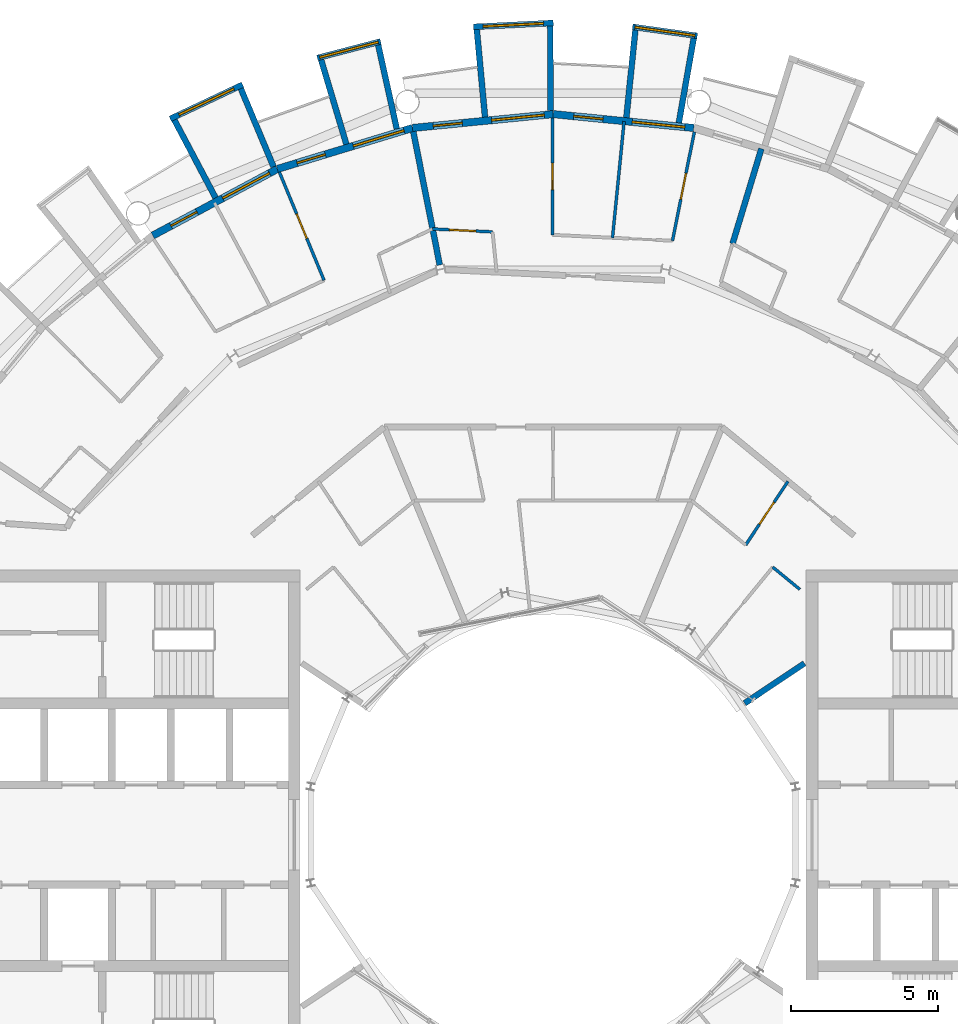
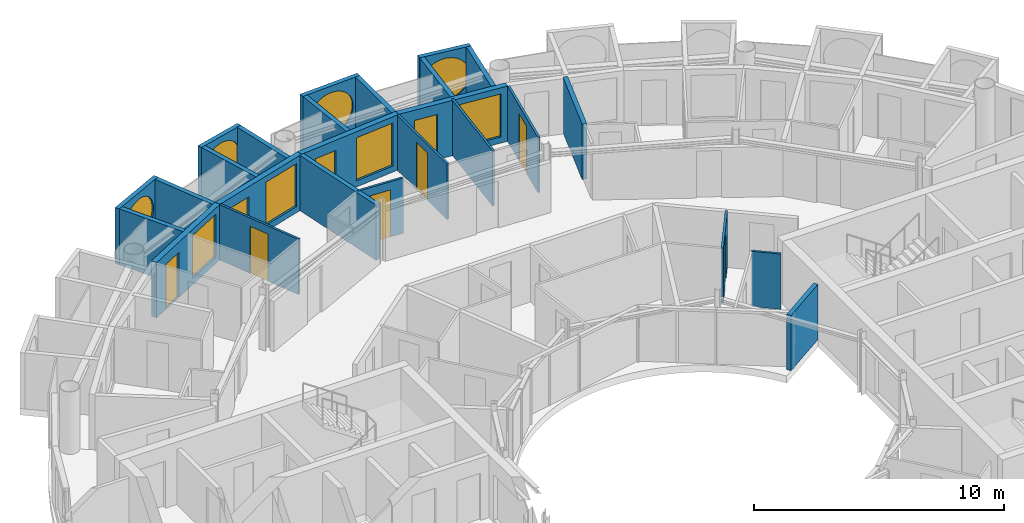
# One storey, part 21 of 27: 26 walls, 9 doors, 8 windows, 17 openings.
"""IFC4 building model written with IfcOpenShell, lengths in metres."""

from ifc_helpers import new_model, si_unit, direction, frame, frame_2d, origin, place, context, subcontext, project, spatial, rectangle, circle, extrude, material, layer, layer_set, type_object, element, fill, save


model = new_model("IFC4")

# Units and contexts
model_context = context("Model", 3, precision=1e-05, world=origin(), true_north=direction((0.0, 1.0)))
body_context = subcontext(model_context, "Body", "Model", "MODEL_VIEW")
ifc_project = project(units=[si_unit("LENGTHUNIT", "METRE"), si_unit("AREAUNIT", "SQUARE_METRE"), si_unit("VOLUMEUNIT", "CUBIC_METRE"), si_unit("PLANEANGLEUNIT", "RADIAN"), si_unit("MASSUNIT", "GRAM", prefix="KILO")], contexts=[model_context])

# Site, building, storey
site_placement = place(None, origin())
site = spatial("IfcSite", under=ifc_project, at=site_placement, CompositionType="ELEMENT")
building_placement = place(site_placement, origin())
building = spatial("IfcBuilding", under=site, at=building_placement, Name="Maasbend Ring Residences", CompositionType="ELEMENT")
storey_placement = place(building_placement, frame((0.0, 0.0, 240.14990234375)))
storey = spatial("IfcBuildingStorey", under=building, at=storey_placement, Name="L69", CompositionType="ELEMENT", Elevation=240.14990234375)

# Wall, opening, window
ifc_material_1 = material(Name="Pale anodised aluminium panel", Category="aluminium")
ifc_layer_1 = layer(ifc_material_1, 0.199951171875)
ifc_layer_set_1 = layer_set([ifc_layer_1], Name="EW-BOX")
wall_type_1 = type_object("IfcWallType", Name="EW-BOX", PredefinedType="SOLIDWALL", material=ifc_layer_set_1)
wall_1_placement = place(storey_placement, frame((4.90087890625, 27.160888671875, -0.02978515625), z_axis=(0.0, 0.0, 1.0), x_axis=(-0.990395097224, 0.138266233748, 0.0)))
wall_1 = element("IfcWall", 1, at=wall_1_placement, inside=storey, type_object=wall_type_1, Name="Box front N09", PredefinedType="SOLIDWALL", context=body_context, shape_type="SweptSolid", body=[
    extrude(rectangle(XDim=2.22119140625, YDim=0.199951171875, at=frame_2d((1.110595703125, 0.0))), origin(), (0.0, 0.0, 1.0), 2.72998046875),
])
opening_1_placement = place(wall_1_placement, frame((0.070556640625, 0.0, 0.330078125)))
opening_1 = element("IfcOpeningElement", 2, at=opening_1_placement, cuts=wall_1, Name="Opening W-RD", PredefinedType="OPENING", context=body_context, shape_type="SweptSolid", body=[
    extrude(circle(Radius=1.0400390625, at=frame_2d((1.0400390625, 1.0400390625))), frame((0.0, 0.10986328125, 0.0), z_axis=(0.0, -1.0, 0.0), x_axis=(1.0, 0.0, 0.0)), (0.0, 0.0, 1.0), 0.219970703125),
])
ifc_material_2 = material(Name="Aluminium and clear glass", Category="aluminium")
window_type_1 = type_object("IfcWindowType", Name="W-RD", PartitioningType="SINGLE_PANEL", PredefinedType="WINDOW", material=ifc_material_2)
window_1_placement = place(opening_1_placement, origin())
window_1 = element("IfcWindow", 3, at=window_1_placement, inside=storey, type_object=window_type_1, Name="Round window N09", OverallHeight=2.080078125, OverallWidth=2.080078125, PartitioningType="SINGLE_PANEL", PredefinedType="WINDOW", context=body_context, shape_type="SweptSolid", body=[
    extrude(circle(Radius=1.0400390625, at=frame_2d((1.0400390625, 1.0400390625))), frame((0.0, 0.030029296875, 0.0), z_axis=(0.0, -1.0, 0.0), x_axis=(1.0, 0.0, 0.0)), (0.0, 0.0, 1.0), 0.06005859375),
])
fill(opening_1, window_1)

# Walls
wall_2_placement = place(storey_placement, frame((4.27392578125, 24.205078125, -0.02978515625), z_axis=(0.0, 0.0, 1.0), x_axis=(0.173637488752, 0.984809637697, 0.0)))
element("IfcWall", 4, at=wall_2_placement, inside=storey, type_object=wall_type_1, Name="Box side wall N09 left", PredefinedType="SOLIDWALL", context=body_context, shape_type="SweptSolid", body=[
    extrude(rectangle(XDim=2.92041015625, YDim=0.199951171875, at=frame_2d((1.460205078125, 0.0))), origin(), (0.0, 0.0, 1.0), 2.72998046875),
])
wall_3_placement = place(storey_placement, frame((2.489990234375, 24.3798828125, -0.02978515625), z_axis=(0.0, 0.0, 1.0), x_axis=(0.101894312119, 0.994795229762, 0.0)))
element("IfcWall", 5, at=wall_3_placement, inside=storey, type_object=wall_type_1, Name="Box side wall N09 right", PredefinedType="SOLIDWALL", context=body_context, shape_type="SweptSolid", body=[
    extrude(rectangle(XDim=2.99267578125, YDim=0.199951171875, at=frame_2d((1.496337890625, 0.0))), origin(), (0.0, 0.0, 1.0), 2.72998046875),
])

# Wall, opening, window
wall_4_placement = place(storey_placement, frame((0.0048828125, 27.60009765625, -0.02978515625), z_axis=(0.0, 0.0, 1.0), x_axis=(-0.998801130548, -0.048952033826, 0.0)))
wall_4 = element("IfcWall", 6, at=wall_4_placement, inside=storey, type_object=wall_type_1, Name="Box front N11", PredefinedType="SOLIDWALL", context=body_context, shape_type="SweptSolid", body=[
    extrude(rectangle(XDim=2.718017578125, YDim=0.199951171875, at=frame_2d((1.35888671875, 0.0))), origin(), (0.0, 0.0, 1.0), 2.72998046875),
])
opening_2_placement = place(wall_4_placement, frame((0.319091796875, 0.0, 0.330078125)))
opening_2 = element("IfcOpeningElement", 7, at=opening_2_placement, cuts=wall_4, Name="Opening W-RD", PredefinedType="OPENING", context=body_context, shape_type="SweptSolid", body=[
    extrude(circle(Radius=1.0400390625, at=frame_2d((1.0400390625, 1.0400390625))), frame((0.0, 0.10986328125, 0.0), z_axis=(0.0, -1.0, 0.0), x_axis=(1.0, 0.0, 0.0)), (0.0, 0.0, 1.0), 0.219970703125),
])
window_2_placement = place(opening_2_placement, origin())
window_2 = element("IfcWindow", 8, at=window_2_placement, inside=storey, type_object=window_type_1, Name="Round window N11", OverallHeight=2.080078125, OverallWidth=2.080078125, PartitioningType="SINGLE_PANEL", PredefinedType="WINDOW", context=body_context, shape_type="SweptSolid", body=[
    extrude(circle(Radius=1.0400390625, at=frame_2d((1.0400390625, 1.0400390625))), frame((0.0, 0.030029296875, 0.0), z_axis=(0.0, -1.0, 0.0), x_axis=(1.0, 0.0, 0.0)), (0.0, 0.0, 1.0), 0.06005859375),
])
fill(opening_2, window_2)

# Walls
wall_5_placement = place(storey_placement, frame((-0.089111328125, 24.616943359375, -0.02978515625), z_axis=(0.0, 0.0, 1.0), x_axis=(-0.003811916396, 0.99999273462, 0.0)))
element("IfcWall", 9, at=wall_5_placement, inside=storey, type_object=wall_type_1, Name="Box side wall N11 left", PredefinedType="SOLIDWALL", context=body_context, shape_type="SweptSolid", body=[
    extrude(rectangle(XDim=2.882080078125, YDim=0.199951171875, at=frame_2d((1.44091796875, 0.0))), origin(), (0.0, 0.0, 1.0), 2.72998046875),
])
wall_6_placement = place(storey_placement, frame((-2.31396484375, 24.39794921875, -0.02978515625), z_axis=(0.0, 0.0, 1.0), x_axis=(-0.094235386483, 0.99554994447, 0.0)))
element("IfcWall", 10, at=wall_6_placement, inside=storey, type_object=wall_type_1, Name="Box side wall N11 right", PredefinedType="SOLIDWALL", context=body_context, shape_type="SweptSolid", body=[
    extrude(rectangle(XDim=2.992431640625, YDim=0.199951171875, at=frame_2d((1.49609375, 0.0))), origin(), (0.0, 0.0, 1.0), 2.72998046875),
])

# Wall, opening, window
wall_7_placement = place(storey_placement, frame((-5.865966796875, 26.969970703125, -0.02978515625), z_axis=(0.0, 0.0, 1.0), x_axis=(-0.967710555359, -0.252064041557, 0.0)))
wall_7 = element("IfcWall", 11, at=wall_7_placement, inside=storey, type_object=wall_type_1, Name="Box front N13", PredefinedType="SOLIDWALL", context=body_context, shape_type="SweptSolid", body=[
    extrude(rectangle(XDim=2.221923828125, YDim=0.199951171875, at=frame_2d((1.11083984375, 0.0))), origin(), (0.0, 0.0, 1.0), 2.72998046875),
])
opening_3_placement = place(wall_7_placement, frame((0.070556640625, 0.0, 0.330078125)))
opening_3 = element("IfcOpeningElement", 12, at=opening_3_placement, cuts=wall_7, Name="Opening W-RD", PredefinedType="OPENING", context=body_context, shape_type="SweptSolid", body=[
    extrude(circle(Radius=1.0400390625, at=frame_2d((1.0400390625, 1.0400390625))), frame((0.0, 0.10986328125, 0.0), z_axis=(0.0, -1.0, 0.0), x_axis=(1.0, 0.0, 0.0)), (0.0, 0.0, 1.0), 0.219970703125),
])
window_3_placement = place(opening_3_placement, origin())
window_3 = element("IfcWindow", 13, at=window_3_placement, inside=storey, type_object=window_type_1, Name="Round window N13", OverallHeight=2.080078125, OverallWidth=2.080078125, PartitioningType="SINGLE_PANEL", PredefinedType="WINDOW", context=body_context, shape_type="SweptSolid", body=[
    extrude(circle(Radius=1.0400390625, at=frame_2d((1.0400390625, 1.0400390625))), frame((0.0, 0.030029296875, 0.0), z_axis=(0.0, -1.0, 0.0), x_axis=(1.0, 0.0, 0.0)), (0.0, 0.0, 1.0), 0.06005859375),
])
fill(opening_3, window_3)

# Walls
wall_8_placement = place(storey_placement, frame((-5.31396484375, 23.998046875, -0.02978515625), z_axis=(0.0, 0.0, 1.0), x_axis=(-0.216443576636, 0.976295128603, 0.0)))
element("IfcWall", 14, at=wall_8_placement, inside=storey, type_object=wall_type_1, Name="Box side wall N13 left", PredefinedType="SOLIDWALL", context=body_context, shape_type="SweptSolid", body=[
    extrude(rectangle(XDim=2.92041015625, YDim=0.199951171875, at=frame_2d((1.460205078125, 0.0))), origin(), (0.0, 0.0, 1.0), 2.72998046875),
])
wall_9_placement = place(storey_placement, frame((-7.029052734375, 23.47705078125, -0.02978515625), z_axis=(0.0, 0.0, 1.0), x_axis=(-0.286681681931, 0.958025893828, 0.0)))
element("IfcWall", 15, at=wall_9_placement, inside=storey, type_object=wall_type_1, Name="Box side wall N13 right", PredefinedType="SOLIDWALL", context=body_context, shape_type="SweptSolid", body=[
    extrude(rectangle(XDim=2.992431640625, YDim=0.199951171875, at=frame_2d((1.49609375, 0.0))), origin(), (0.0, 0.0, 1.0), 2.72998046875),
])

# Wall, opening, window
wall_10_placement = place(storey_placement, frame((-10.55810546875, 25.5009765625, -0.02978515625), z_axis=(0.0, 0.0, 1.0), x_axis=(-0.904004727627, -0.42752245839, 0.0)))
wall_10 = element("IfcWall", 16, at=wall_10_placement, inside=storey, type_object=wall_type_1, Name="Box front N15", PredefinedType="SOLIDWALL", context=body_context, shape_type="SweptSolid", body=[
    extrude(rectangle(XDim=2.7177734375, YDim=0.199951171875, at=frame_2d((1.35888671875, 0.0))), origin(), (0.0, 0.0, 1.0), 2.72998046875),
])
opening_4_placement = place(wall_10_placement, frame((0.319091796875, 0.0, 0.330078125)))
opening_4 = element("IfcOpeningElement", 17, at=opening_4_placement, cuts=wall_10, Name="Opening W-RD", PredefinedType="OPENING", context=body_context, shape_type="SweptSolid", body=[
    extrude(circle(Radius=1.0400390625, at=frame_2d((1.0400390625, 1.0400390625))), frame((0.0, 0.10986328125, 0.0), z_axis=(0.0, -1.0, 0.0), x_axis=(1.0, 0.0, 0.0)), (0.0, 0.0, 1.0), 0.219970703125),
])
window_4_placement = place(opening_4_placement, origin())
window_4 = element("IfcWindow", 18, at=window_4_placement, inside=storey, type_object=window_type_1, Name="Round window N15", OverallHeight=2.080078125, OverallWidth=2.080078125, PartitioningType="SINGLE_PANEL", PredefinedType="WINDOW", context=body_context, shape_type="SweptSolid", body=[
    extrude(circle(Radius=1.0400390625, at=frame_2d((1.0400390625, 1.0400390625))), frame((0.0, 0.030029296875, 0.0), z_axis=(0.0, -1.0, 0.0), x_axis=(1.0, 0.0, 0.0)), (0.0, 0.0, 1.0), 0.06005859375),
])
fill(opening_4, window_4)

# Walls
wall_11_placement = place(storey_placement, frame((-9.5029296875, 22.708984375, -0.02978515625), z_axis=(0.0, 0.0, 1.0), x_axis=(-0.386136412103, 0.922441689891, 0.0)))
element("IfcWall", 19, at=wall_11_placement, inside=storey, type_object=wall_type_1, Name="Box side wall N15 left", PredefinedType="SOLIDWALL", context=body_context, shape_type="SweptSolid", body=[
    extrude(rectangle(XDim=2.882568359375, YDim=0.199951171875, at=frame_2d((1.44140625, 0.0))), origin(), (0.0, 0.0, 1.0), 2.72998046875),
])
wall_12_placement = place(storey_placement, frame((-11.47509765625, 21.655029296875, -0.02978515625), z_axis=(0.0, 0.0, 1.0), x_axis=(-0.467917715158, 0.883772036128, 0.0)))
element("IfcWall", 20, at=wall_12_placement, inside=storey, type_object=wall_type_1, Name="Box side wall N15 right", PredefinedType="SOLIDWALL", context=body_context, shape_type="SweptSolid", body=[
    extrude(rectangle(XDim=2.99169921875, YDim=0.199951171875, at=frame_2d((1.495849609375, 0.0))), origin(), (0.0, 0.0, 1.0), 2.72998046875),
])

# Wall, openings, door, window
ifc_material_3 = material(Name="Aluminium clad insulated panel", Category="aluminium")
ifc_layer_2 = layer(ifc_material_3, 0.25)
ifc_layer_set_2 = layer_set([ifc_layer_2], Name="EW-GL")
wall_type_2 = type_object("IfcWallType", Name="EW-GL", PredefinedType="SOLIDWALL", material=ifc_layer_set_2)
wall_13_placement = place(storey_placement, frame((4.780029296875, 24.029052734375, 0.0), z_axis=(0.0, 0.0, 1.0), x_axis=(-0.995181568754, 0.098049197923, 0.0)))
wall_13 = element("IfcWall", 21, at=wall_13_placement, inside=storey, type_object=wall_type_2, Name="External wall N05", PredefinedType="SOLIDWALL", context=body_context, shape_type="SweptSolid", body=[
    extrude(rectangle(XDim=4.80322265625, YDim=0.25, at=frame_2d((2.401611328125, 0.0))), origin(), (0.0, 0.0, 1.0), 2.7001953125),
])
opening_5_placement = place(wall_13_placement, frame((0.3037109375, 0.0, 0.300048828125)))
opening_5 = element("IfcOpeningElement", 22, at=opening_5_placement, cuts=wall_13, Name="Opening W-BX", PredefinedType="OPENING", context=body_context, shape_type="SweptSolid", body=[
    extrude(rectangle(XDim=1.800048828125, YDim=2.10009765625, at=frame_2d((0.89990234375, 1.050048828125))), frame((0.0, 0.135009765625, 0.0), z_axis=(0.0, -1.0, 0.0), x_axis=(1.0, 0.0, 0.0)), (0.0, 0.0, 1.0), 0.27001953125),
])
opening_6_placement = place(wall_13_placement, frame((3.09912109375, 0.0, 0.0)))
opening_6 = element("IfcOpeningElement", 23, at=opening_6_placement, cuts=wall_13, Name="Opening D-LG", PredefinedType="OPENING", context=body_context, shape_type="SweptSolid", body=[
    extrude(rectangle(XDim=1.0, YDim=2.199951171875, at=frame_2d((0.5, 1.10009765625))), frame((0.0, 0.135009765625, 0.0), z_axis=(0.0, -1.0, 0.0), x_axis=(1.0, 0.0, 0.0)), (0.0, 0.0, 1.0), 0.27001953125),
])
ifc_material_4 = material(Name="Aluminium and clear glass", Category="aluminium")
door_type_1 = type_object("IfcDoorType", Name="D-LG", OperationType="SINGLE_SWING_LEFT", PredefinedType="DOOR", material=ifc_material_4)
door_1_placement = place(opening_6_placement, origin())
door_1 = element("IfcDoor", 24, at=door_1_placement, inside=storey, type_object=door_type_1, Name="Loggia door N10", OperationType="SINGLE_SWING_LEFT", OverallHeight=2.199951171875, OverallWidth=1.0, PredefinedType="DOOR", context=body_context, shape_type="SweptSolid", body=[
    extrude(rectangle(XDim=1.0, YDim=2.199951171875, at=frame_2d((0.5, 1.10009765625))), frame((0.0, 0.02490234375, 0.0), z_axis=(0.0, -1.0, 0.0), x_axis=(1.0, 0.0, 0.0)), (0.0, 0.0, 1.0), 0.050048828125),
])
fill(opening_6, door_1)
ifc_material_5 = material(Name="Aluminium and clear glass", Category="aluminium")
window_type_2 = type_object("IfcWindowType", Name="W-BX", PartitioningType="DOUBLE_PANEL_VERTICAL", PredefinedType="WINDOW", material=ifc_material_5)
window_5_placement = place(opening_5_placement, origin())
window_5 = element("IfcWindow", 25, at=window_5_placement, inside=storey, type_object=window_type_2, Name="Window N09 room to box", OverallHeight=2.10009765625, OverallWidth=1.800048828125, PartitioningType="SINGLE_PANEL", PredefinedType="WINDOW", context=body_context, shape_type="SweptSolid", body=[
    extrude(rectangle(XDim=1.800048828125, YDim=2.10009765625, at=frame_2d((0.89990234375, 1.050048828125))), frame((0.0, 0.030029296875, 0.0), z_axis=(0.0, -1.0, 0.0), x_axis=(1.0, 0.0, 0.0)), (0.0, 0.0, 1.0), 0.06005859375),
])
fill(opening_5, window_5)

wall_14_placement = place(storey_placement, frame((0.0, 24.5, 0.0), z_axis=(0.0, 0.0, 1.0), x_axis=(-0.995181568754, -0.098049197923, 0.0)))
wall_14 = element("IfcWall", 26, at=wall_14_placement, inside=storey, type_object=wall_type_2, Name="External wall N06", PredefinedType="SOLIDWALL", context=body_context, shape_type="SweptSolid", body=[
    extrude(rectangle(XDim=4.80322265625, YDim=0.25, at=frame_2d((2.401611328125, 0.0))), origin(), (0.0, 0.0, 1.0), 2.7001953125),
])
opening_7_placement = place(wall_14_placement, frame((0.3037109375, 0.0, 0.300048828125)))
opening_7 = element("IfcOpeningElement", 27, at=opening_7_placement, cuts=wall_14, Name="Opening W-BX", PredefinedType="OPENING", context=body_context, shape_type="SweptSolid", body=[
    extrude(rectangle(XDim=1.800048828125, YDim=2.10009765625, at=frame_2d((0.89990234375, 1.050048828125))), frame((0.0, 0.135009765625, 0.0), z_axis=(0.0, -1.0, 0.0), x_axis=(1.0, 0.0, 0.0)), (0.0, 0.0, 1.0), 0.27001953125),
])
opening_8_placement = place(wall_14_placement, frame((3.09912109375, 0.0, 0.0)))
opening_8 = element("IfcOpeningElement", 28, at=opening_8_placement, cuts=wall_14, Name="Opening D-LG", PredefinedType="OPENING", context=body_context, shape_type="SweptSolid", body=[
    extrude(rectangle(XDim=1.0, YDim=2.199951171875, at=frame_2d((0.5, 1.10009765625))), frame((0.0, 0.135009765625, 0.0), z_axis=(0.0, -1.0, 0.0), x_axis=(1.0, 0.0, 0.0)), (0.0, 0.0, 1.0), 0.27001953125),
])
door_2_placement = place(opening_8_placement, origin())
door_2 = element("IfcDoor", 29, at=door_2_placement, inside=storey, type_object=door_type_1, Name="Loggia door N12", OperationType="SINGLE_SWING_LEFT", OverallHeight=2.199951171875, OverallWidth=1.0, PredefinedType="DOOR", context=body_context, shape_type="SweptSolid", body=[
    extrude(rectangle(XDim=1.0, YDim=2.199951171875, at=frame_2d((0.5, 1.10009765625))), frame((0.0, 0.02490234375, 0.0), z_axis=(0.0, -1.0, 0.0), x_axis=(1.0, 0.0, 0.0)), (0.0, 0.0, 1.0), 0.050048828125),
])
fill(opening_8, door_2)
window_6_placement = place(opening_7_placement, origin())
window_6 = element("IfcWindow", 30, at=window_6_placement, inside=storey, type_object=window_type_2, Name="Window N11 room to box", OverallHeight=2.10009765625, OverallWidth=1.800048828125, PartitioningType="SINGLE_PANEL", PredefinedType="WINDOW", context=body_context, shape_type="SweptSolid", body=[
    extrude(rectangle(XDim=1.800048828125, YDim=2.10009765625, at=frame_2d((0.89990234375, 1.050048828125))), frame((0.0, 0.030029296875, 0.0), z_axis=(0.0, -1.0, 0.0), x_axis=(1.0, 0.0, 0.0)), (0.0, 0.0, 1.0), 0.06005859375),
])
fill(opening_7, window_6)

wall_15_placement = place(storey_placement, frame((-4.780029296875, 24.029052734375, 0.0), z_axis=(0.0, 0.0, 1.0), x_axis=(-0.956947414517, -0.290261340605, 0.0)))
wall_15 = element("IfcWall", 31, at=wall_15_placement, inside=storey, type_object=wall_type_2, Name="External wall N07", PredefinedType="SOLIDWALL", context=body_context, shape_type="SweptSolid", body=[
    extrude(rectangle(XDim=4.802734375, YDim=0.25, at=frame_2d((2.4013671875, 0.0))), origin(), (0.0, 0.0, 1.0), 2.7001953125),
])
opening_9_placement = place(wall_15_placement, frame((0.3037109375, 0.0, 0.300048828125)))
opening_9 = element("IfcOpeningElement", 32, at=opening_9_placement, cuts=wall_15, Name="Opening W-BX", PredefinedType="OPENING", context=body_context, shape_type="SweptSolid", body=[
    extrude(rectangle(XDim=1.800048828125, YDim=2.10009765625, at=frame_2d((0.89990234375, 1.050048828125))), frame((0.0, 0.135009765625, 0.0), z_axis=(0.0, -1.0, 0.0), x_axis=(1.0, 0.0, 0.0)), (0.0, 0.0, 1.0), 0.27001953125),
])
opening_10_placement = place(wall_15_placement, frame((3.09912109375, 0.0, 0.0)))
opening_10 = element("IfcOpeningElement", 33, at=opening_10_placement, cuts=wall_15, Name="Opening D-LG", PredefinedType="OPENING", context=body_context, shape_type="SweptSolid", body=[
    extrude(rectangle(XDim=1.0, YDim=2.199951171875, at=frame_2d((0.5, 1.10009765625))), frame((0.0, 0.135009765625, 0.0), z_axis=(0.0, -1.0, 0.0), x_axis=(1.0, 0.0, 0.0)), (0.0, 0.0, 1.0), 0.27001953125),
])
door_3_placement = place(opening_10_placement, origin())
door_3 = element("IfcDoor", 34, at=door_3_placement, inside=storey, type_object=door_type_1, Name="Loggia door N14", OperationType="SINGLE_SWING_LEFT", OverallHeight=2.199951171875, OverallWidth=1.0, PredefinedType="DOOR", context=body_context, shape_type="SweptSolid", body=[
    extrude(rectangle(XDim=1.0, YDim=2.199951171875, at=frame_2d((0.5, 1.10009765625))), frame((0.0, 0.02490234375, 0.0), z_axis=(0.0, -1.0, 0.0), x_axis=(1.0, 0.0, 0.0)), (0.0, 0.0, 1.0), 0.050048828125),
])
fill(opening_10, door_3)
window_7_placement = place(opening_9_placement, origin())
window_7 = element("IfcWindow", 35, at=window_7_placement, inside=storey, type_object=window_type_2, Name="Window N13 room to box", OverallHeight=2.10009765625, OverallWidth=1.800048828125, PartitioningType="SINGLE_PANEL", PredefinedType="WINDOW", context=body_context, shape_type="SweptSolid", body=[
    extrude(rectangle(XDim=1.800048828125, YDim=2.10009765625, at=frame_2d((0.89990234375, 1.050048828125))), frame((0.0, 0.030029296875, 0.0), z_axis=(0.0, -1.0, 0.0), x_axis=(1.0, 0.0, 0.0)), (0.0, 0.0, 1.0), 0.06005859375),
])
fill(opening_9, window_7)

wall_16_placement = place(storey_placement, frame((-9.3759765625, 22.635009765625, 0.0), z_axis=(0.0, 0.0, 1.0), x_axis=(-0.881903608701, -0.471429766731, 0.0)))
wall_16 = element("IfcWall", 36, at=wall_16_placement, inside=storey, type_object=wall_type_2, Name="External wall N08", PredefinedType="SOLIDWALL", context=body_context, shape_type="SweptSolid", body=[
    extrude(rectangle(XDim=4.80224609375, YDim=0.25, at=frame_2d((2.401123046875, 0.0))), origin(), (0.0, 0.0, 1.0), 2.7001953125),
])
opening_11_placement = place(wall_16_placement, frame((0.3037109375, 0.0, 0.300048828125)))
opening_11 = element("IfcOpeningElement", 37, at=opening_11_placement, cuts=wall_16, Name="Opening W-BX", PredefinedType="OPENING", context=body_context, shape_type="SweptSolid", body=[
    extrude(rectangle(XDim=1.800048828125, YDim=2.10009765625, at=frame_2d((0.89990234375, 1.050048828125))), frame((0.0, 0.135009765625, 0.0), z_axis=(0.0, -1.0, 0.0), x_axis=(1.0, 0.0, 0.0)), (0.0, 0.0, 1.0), 0.27001953125),
])
opening_12_placement = place(wall_16_placement, frame((3.09912109375, 0.0, 0.0)))
opening_12 = element("IfcOpeningElement", 38, at=opening_12_placement, cuts=wall_16, Name="Opening D-LG", PredefinedType="OPENING", context=body_context, shape_type="SweptSolid", body=[
    extrude(rectangle(XDim=1.0, YDim=2.199951171875, at=frame_2d((0.5, 1.10009765625))), frame((0.0, 0.135009765625, 0.0), z_axis=(0.0, -1.0, 0.0), x_axis=(1.0, 0.0, 0.0)), (0.0, 0.0, 1.0), 0.27001953125),
])
door_4_placement = place(opening_12_placement, origin())
door_4 = element("IfcDoor", 39, at=door_4_placement, inside=storey, type_object=door_type_1, Name="Loggia door N16", OperationType="SINGLE_SWING_LEFT", OverallHeight=2.199951171875, OverallWidth=1.0, PredefinedType="DOOR", context=body_context, shape_type="SweptSolid", body=[
    extrude(rectangle(XDim=1.0, YDim=2.199951171875, at=frame_2d((0.5, 1.10009765625))), frame((0.0, 0.02490234375, 0.0), z_axis=(0.0, -1.0, 0.0), x_axis=(1.0, 0.0, 0.0)), (0.0, 0.0, 1.0), 0.050048828125),
])
fill(opening_12, door_4)
window_8_placement = place(opening_11_placement, origin())
window_8 = element("IfcWindow", 40, at=window_8_placement, inside=storey, type_object=window_type_2, Name="Window N15 room to box", OverallHeight=2.10009765625, OverallWidth=1.800048828125, PartitioningType="SINGLE_PANEL", PredefinedType="WINDOW", context=body_context, shape_type="SweptSolid", body=[
    extrude(rectangle(XDim=1.800048828125, YDim=2.10009765625, at=frame_2d((0.89990234375, 1.050048828125))), frame((0.0, 0.030029296875, 0.0), z_axis=(0.0, -1.0, 0.0), x_axis=(1.0, 0.0, 0.0)), (0.0, 0.0, 1.0), 0.06005859375),
])
fill(opening_11, window_8)

# Wall, opening, door
ifc_material_6 = material(Name="Gypsum board on steel studs", Category="steel")
ifc_layer_3 = layer(ifc_material_6, 0.10009765625)
ifc_layer_set_3 = layer_set([ifc_layer_3], Name="PARTITION 100 GYPSUM")
wall_type_3 = type_object("IfcWallType", Name="PARTITION 100 GYPSUM", PredefinedType="PARTITIONING", material=ifc_layer_set_3)
wall_17_placement = place(storey_placement, frame((-9.305908203125, 22.529052734375, 0.0), z_axis=(0.0, 0.0, 1.0), x_axis=(0.381681535062, -0.924293895789, 0.0)))
wall_17 = element("IfcWall", 41, at=wall_17_placement, inside=storey, type_object=wall_type_3, Name="U-L69-w045", PredefinedType="PARTITIONING", context=body_context, shape_type="SweptSolid", body=[
    extrude(rectangle(XDim=3.979248046875, YDim=0.10009765625, at=frame_2d((1.98974609375, 0.0))), origin(), (0.0, 0.0, 1.0), 2.7001953125),
])
opening_13_placement = place(wall_17_placement, frame((1.5400390625, 0.0, 0.0)))
opening_13 = element("IfcOpeningElement", 42, at=opening_13_placement, cuts=wall_17, Name="Opening D-6915", PredefinedType="OPENING", context=body_context, shape_type="SweptSolid", body=[
    extrude(rectangle(XDim=0.89990234375, YDim=2.300048828125, at=frame_2d((0.449951171875, 1.14990234375))), frame((0.0, 0.06005859375, 0.0), z_axis=(0.0, -1.0, 0.0), x_axis=(1.0, 0.0, 0.0)), (0.0, 0.0, 1.0), 0.1201171875),
])
ifc_material_7 = material(Name="Timber, painted", Category="wood")
door_type_2 = type_object("IfcDoorType", Name="INTERNAL DOOR 900 X 2300", OperationType="NOTDEFINED", PredefinedType="DOOR", material=ifc_material_7)
door_5_placement = place(opening_13_placement, origin())
door_5 = element("IfcDoor", 43, at=door_5_placement, inside=storey, type_object=door_type_2, Name="D-6915", OperationType="SINGLE_SWING_LEFT", OverallHeight=2.300048828125, OverallWidth=0.89990234375, PredefinedType="DOOR", context=body_context, shape_type="SweptSolid", body=[
    extrude(rectangle(XDim=0.89990234375, YDim=2.300048828125, at=frame_2d((0.449951171875, 1.14990234375))), frame((0.0, 0.02490234375, 0.0), z_axis=(0.0, -1.0, 0.0), x_axis=(1.0, 0.0, 0.0)), (0.0, 0.0, 1.0), 0.050048828125),
])
fill(opening_13, door_5)

wall_18_placement = place(storey_placement, frame((-0.02001953125, 20.39599609375, 0.0), z_axis=(0.0, 0.0, 1.0), x_axis=(-0.000981715075, 0.999999518118, 0.0)))
wall_18 = element("IfcWall", 44, at=wall_18_placement, inside=storey, type_object=wall_type_3, Name="U-L69-w062", PredefinedType="PARTITIONING", context=body_context, shape_type="SweptSolid", body=[
    extrude(rectangle(XDim=3.97900390625, YDim=0.10009765625, at=frame_2d((1.989501953125, 0.0))), origin(), (0.0, 0.0, 1.0), 2.7001953125),
])
opening_14_placement = place(wall_18_placement, frame((1.5400390625, 0.0, 0.0)))
opening_14 = element("IfcOpeningElement", 45, at=opening_14_placement, cuts=wall_18, Name="Opening D-6910", PredefinedType="OPENING", context=body_context, shape_type="SweptSolid", body=[
    extrude(rectangle(XDim=0.89990234375, YDim=2.300048828125, at=frame_2d((0.449951171875, 1.14990234375))), frame((0.0, 0.06005859375, 0.0), z_axis=(0.0, -1.0, 0.0), x_axis=(1.0, 0.0, 0.0)), (0.0, 0.0, 1.0), 0.1201171875),
])
door_6_placement = place(opening_14_placement, origin())
door_6 = element("IfcDoor", 46, at=door_6_placement, inside=storey, type_object=door_type_2, Name="D-6910", OperationType="SINGLE_SWING_RIGHT", OverallHeight=2.300048828125, OverallWidth=0.89990234375, PredefinedType="DOOR", context=body_context, shape_type="SweptSolid", body=[
    extrude(rectangle(XDim=0.89990234375, YDim=2.300048828125, at=frame_2d((0.449951171875, 1.14990234375))), frame((0.0, 0.02490234375, 0.0), z_axis=(0.0, -1.0, 0.0), x_axis=(1.0, 0.0, 0.0)), (0.0, 0.0, 1.0), 0.050048828125),
])
fill(opening_14, door_6)

# Wall
wall_19_placement = place(storey_placement, frame((2.01904296875, 20.2958984375, 0.0), z_axis=(0.0, 0.0, 1.0), x_axis=(0.099041957246, 0.995083258177, 0.0)))
element("IfcWall", 47, at=wall_19_placement, inside=storey, type_object=wall_type_3, Name="U-L69-w066", PredefinedType="PARTITIONING", context=body_context, shape_type="SweptSolid", body=[
    extrude(rectangle(XDim=3.978515625, YDim=0.10009765625, at=frame_2d((1.9892578125, 0.0))), origin(), (0.0, 0.0, 1.0), 2.7001953125),
])

# Wall, opening, door
wall_20_placement = place(storey_placement, frame((4.056884765625, 20.196044921875, 0.0), z_axis=(0.0, 0.0, 1.0), x_axis=(0.197123438676, 0.9803786768, 0.0)))
wall_20 = element("IfcWall", 48, at=wall_20_placement, inside=storey, type_object=wall_type_3, Name="U-L69-w072", PredefinedType="PARTITIONING", context=body_context, shape_type="SweptSolid", body=[
    extrude(rectangle(XDim=3.77490234375, YDim=0.10009765625, at=frame_2d((1.887451171875, 0.0))), origin(), (0.0, 0.0, 1.0), 2.7001953125),
])
opening_15_placement = place(wall_20_placement, frame((1.43798828125, 0.0, 0.0)))
opening_15 = element("IfcOpeningElement", 49, at=opening_15_placement, cuts=wall_20, Name="Opening D-6912", PredefinedType="OPENING", context=body_context, shape_type="SweptSolid", body=[
    extrude(rectangle(XDim=0.89990234375, YDim=2.300048828125, at=frame_2d((0.449951171875, 1.14990234375))), frame((0.0, 0.06005859375, 0.0), z_axis=(0.0, -1.0, 0.0), x_axis=(1.0, 0.0, 0.0)), (0.0, 0.0, 1.0), 0.1201171875),
])
door_7_placement = place(opening_15_placement, origin())
door_7 = element("IfcDoor", 50, at=door_7_placement, inside=storey, type_object=door_type_2, Name="D-6912", OperationType="SINGLE_SWING_RIGHT", OverallHeight=2.300048828125, OverallWidth=0.89990234375, PredefinedType="DOOR", context=body_context, shape_type="SweptSolid", body=[
    extrude(rectangle(XDim=0.89990234375, YDim=2.300048828125, at=frame_2d((0.449951171875, 1.14990234375))), frame((0.0, 0.02490234375, 0.0), z_axis=(0.0, -1.0, 0.0), x_axis=(1.0, 0.0, 0.0)), (0.0, 0.0, 1.0), 0.050048828125),
])
fill(opening_15, door_7)

wall_21_placement = place(storey_placement, frame((6.547119140625, 9.85400390625, 0.0), z_axis=(0.0, 0.0, 1.0), x_axis=(0.553289146762, 0.832989267683, 0.0)))
wall_21 = element("IfcWall", 51, at=wall_21_placement, inside=storey, type_object=wall_type_3, Name="U-L69-w078", PredefinedType="PARTITIONING", context=body_context, shape_type="SweptSolid", body=[
    extrude(rectangle(XDim=2.5966796875, YDim=0.10009765625, at=frame_2d((1.29833984375, 0.0))), origin(), (0.0, 0.0, 1.0), 2.7001953125),
])
opening_16_placement = place(wall_21_placement, frame((0.847900390625, 0.0, 0.0)))
opening_16 = element("IfcOpeningElement", 52, at=opening_16_placement, cuts=wall_21, Name="Opening D-6922", PredefinedType="OPENING", context=body_context, shape_type="SweptSolid", body=[
    extrude(rectangle(XDim=0.89990234375, YDim=2.300048828125, at=frame_2d((0.449951171875, 1.14990234375))), frame((0.0, 0.06005859375, 0.0), z_axis=(0.0, -1.0, 0.0), x_axis=(1.0, 0.0, 0.0)), (0.0, 0.0, 1.0), 0.1201171875),
])
door_8_placement = place(opening_16_placement, origin())
door_8 = element("IfcDoor", 53, at=door_8_placement, inside=storey, type_object=door_type_2, Name="D-6922", OperationType="SINGLE_SWING_RIGHT", OverallHeight=2.300048828125, OverallWidth=0.89990234375, PredefinedType="DOOR", context=body_context, shape_type="SweptSolid", body=[
    extrude(rectangle(XDim=0.89990234375, YDim=2.300048828125, at=frame_2d((0.449951171875, 1.14990234375))), frame((0.0, 0.02490234375, 0.0), z_axis=(0.0, -1.0, 0.0), x_axis=(1.0, 0.0, 0.0)), (0.0, 0.0, 1.0), 0.050048828125),
])
fill(opening_16, door_8)

# Wall
wall_22_placement = place(storey_placement, frame((7.466064453125, 9.10009765625, 0.0), z_axis=(0.0, 0.0, 1.0), x_axis=(0.772869802794, -0.634564628646, 0.0)))
element("IfcWall", 54, at=wall_22_placement, inside=storey, type_object=wall_type_3, Name="U-L69-w104", PredefinedType="PARTITIONING", context=body_context, shape_type="SweptSolid", body=[
    extrude(rectangle(XDim=1.191650390625, YDim=0.10009765625, at=frame_2d((0.595703125, 0.0))), origin(), (0.0, 0.0, 1.0), 2.7001953125),
])

# Wall, opening, door
wall_23_placement = place(storey_placement, frame((-4.096923828125, 20.595947265625, 0.0), z_axis=(0.0, 0.0, 1.0), x_axis=(0.998802820655, -0.048917537259, 0.0)))
wall_23 = element("IfcWall", 55, at=wall_23_placement, inside=storey, type_object=wall_type_3, Name="U-L69-w117", PredefinedType="PARTITIONING", context=body_context, shape_type="SweptSolid", body=[
    extrude(rectangle(XDim=2.041259765625, YDim=0.10009765625, at=frame_2d((1.0205078125, 0.0))), origin(), (0.0, 0.0, 1.0), 2.7001953125),
])
opening_17_placement = place(wall_23_placement, frame((0.571044921875, 0.0, 0.0)))
opening_17 = element("IfcOpeningElement", 56, at=opening_17_placement, cuts=wall_23, Name="Opening D-6909", PredefinedType="OPENING", context=body_context, shape_type="SweptSolid", body=[
    extrude(rectangle(XDim=0.89990234375, YDim=2.300048828125, at=frame_2d((0.449951171875, 1.14990234375))), frame((0.0, 0.06005859375, 0.0), z_axis=(0.0, -1.0, 0.0), x_axis=(1.0, 0.0, 0.0)), (0.0, 0.0, 1.0), 0.1201171875),
])
door_9_placement = place(opening_17_placement, origin())
door_9 = element("IfcDoor", 57, at=door_9_placement, inside=storey, type_object=door_type_2, Name="D-6909", OperationType="SINGLE_SWING_RIGHT", OverallHeight=2.300048828125, OverallWidth=0.89990234375, PredefinedType="DOOR", context=body_context, shape_type="SweptSolid", body=[
    extrude(rectangle(XDim=0.89990234375, YDim=2.300048828125, at=frame_2d((0.449951171875, 1.14990234375))), frame((0.0, 0.02490234375, 0.0), z_axis=(0.0, -1.0, 0.0), x_axis=(1.0, 0.0, 0.0)), (0.0, 0.0, 1.0), 0.050048828125),
])
fill(opening_17, door_9)

# Walls
ifc_material_8 = material(Name="Concrete C30/37", Category="concrete")
ifc_layer_4 = layer(ifc_material_8, 0.199951171875)
ifc_layer_set_4 = layer_set([ifc_layer_4], Name="Concrete C30/37")
wall_type_4 = type_object("IfcWallType", Name="PARTY WALL 200 CONCRETE", PredefinedType="PARTITIONING", material=ifc_layer_set_4)
wall_24_placement = place(storey_placement, frame((-4.7548828125, 23.906982421875, 0.0), z_axis=(0.0, 0.0, 1.0), x_axis=(0.194969052557, -0.980809394605, 0.0)))
element("IfcWall", 58, at=wall_24_placement, inside=storey, type_object=wall_type_4, Name="U-L69-w055", PredefinedType="PARTITIONING", context=body_context, shape_type="SweptSolid", body=[
    extrude(rectangle(XDim=4.625732421875, YDim=0.199951171875, at=frame_2d((2.31298828125, 0.0))), origin(), (0.0, 0.0, 1.0), 2.7001953125),
])
wall_25_placement = place(storey_placement, frame((6.10009765625, 20.094970703125, 0.0), z_axis=(0.0, 0.0, 1.0), x_axis=(0.290412991819, 0.95690140254, 0.0)))
element("IfcWall", 59, at=wall_25_placement, inside=storey, type_object=wall_type_4, Name="U-L69-w076", PredefinedType="PARTITIONING", context=body_context, shape_type="SweptSolid", body=[
    extrude(rectangle(XDim=3.37451171875, YDim=0.199951171875, at=frame_2d((1.687255859375, 0.0))), origin(), (0.0, 0.0, 1.0), 2.7001953125),
])
wall_26_placement = place(storey_placement, frame((6.512939453125, 4.471923828125, 0.0), z_axis=(0.0, 0.0, 1.0), x_axis=(0.831450132577, 0.555599385382, 0.0)))
element("IfcWall", 60, at=wall_26_placement, inside=storey, type_object=wall_type_4, Name="U-L69-w096", PredefinedType="PARTITIONING", context=body_context, shape_type="SweptSolid", body=[
    extrude(rectangle(XDim=2.442626953125, YDim=0.199951171875, at=frame_2d((1.22119140625, 0.0))), origin(), (0.0, 0.0, 1.0), 2.7001953125),
])

save(model, "model.ifc")
